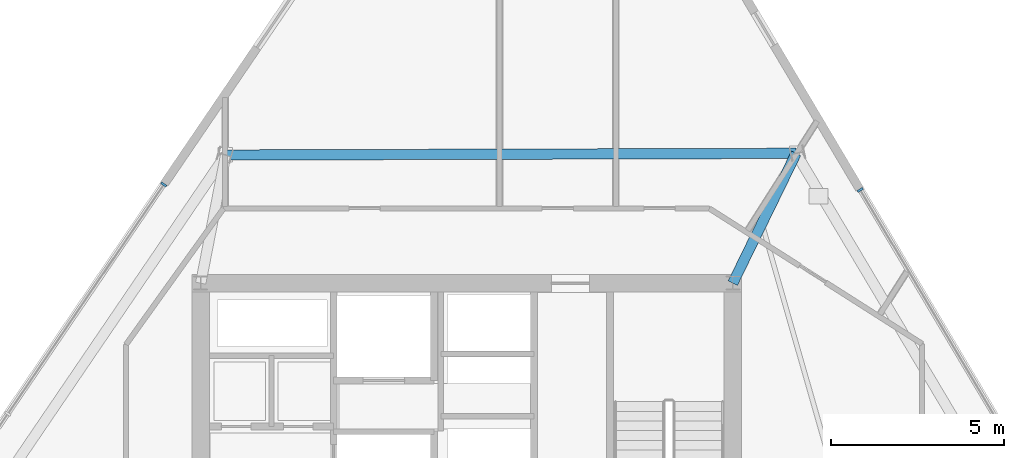
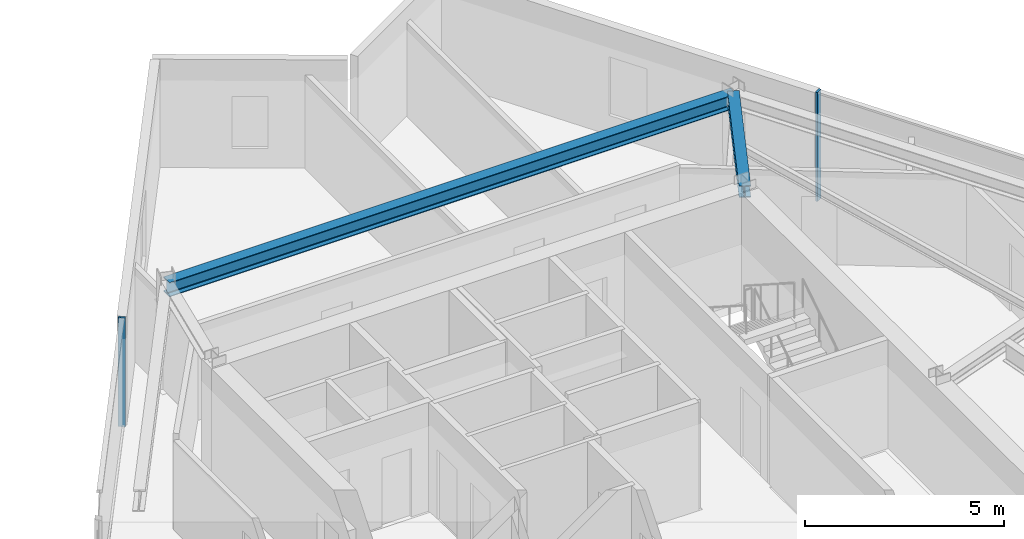
# One storey, part 6 of 15: 2 beams, 2 members, 2 elements without a shape of their own.
"""IFC4 building model written with IfcOpenShell, lengths in metres."""

from ifc_helpers import new_model, si_unit, direction, frame, origin, origin_2d, place, context, subcontext, project, spatial, rectangle, i_section, extrude, material, material_profile, profile_set, type_object, element, aggregate, save


model = new_model("IFC4")

# Units and contexts
model_context = context("Model", 3, precision=1e-05, world=origin(), true_north=direction((0.0, 1.0)))
body_context = subcontext(model_context, "Body", "Model", "MODEL_VIEW")
ifc_project = project(units=[si_unit("LENGTHUNIT", "METRE"), si_unit("AREAUNIT", "SQUARE_METRE"), si_unit("VOLUMEUNIT", "CUBIC_METRE"), si_unit("PLANEANGLEUNIT", "RADIAN"), si_unit("MASSUNIT", "GRAM", prefix="KILO")], contexts=[model_context])

# Site, building, storey
site_placement = place(None, origin())
site = spatial("IfcSite", under=ifc_project, at=site_placement, CompositionType="ELEMENT")
building_placement = place(site_placement, origin())
building = spatial("IfcBuilding", under=site, at=building_placement, Name="Savorim Split Tower", CompositionType="ELEMENT")
storey_placement = place(building_placement, frame((0.0, 0.0, 142.199951171875)))
storey = spatial("IfcBuildingStorey", under=building, at=storey_placement, Name="L37", CompositionType="ELEMENT", Elevation=142.199951171875)

# Beams
ifc_material_1 = material(Name="Steel S355", Category="steel")
ifc_material_profile_1 = material_profile(ifc_material_1, i_section(OverallWidth=0.300048828125, OverallDepth=0.360107421875, WebThickness=0.012451171875, FlangeThickness=0.0224609375, FilletRadius=0.027099609375, at=origin_2d()), Name="HEB 360")
ifc_profile_set_1 = profile_set([ifc_material_profile_1], Name="Steel S355")
beam_type_1 = type_object("IfcBeamType", Name="BM-PRI-HEB360", PredefinedType="BEAM", material=ifc_profile_set_1)
beam_1_placement = place(storey_placement, frame((9.53271484375, 13.957275390625, 3.170166015625), z_axis=(-0.438408674156, -0.898775742009, 0.0), x_axis=(0.898775742009, -0.438408674156, 0.0)))
element("IfcBeam", 1, at=beam_1_placement, inside=storey, type_object=beam_type_1, Name="L37 Primary Floor Girder RG-07", PredefinedType="BEAM", context=body_context, shape_type="SweptSolid", body=[
    extrude(i_section(OverallWidth=0.300048828125, OverallDepth=0.360107421875, WebThickness=0.012451171875, FlangeThickness=0.0224609375, FilletRadius=0.027099609375, at=origin_2d()), origin(), (0.0, 0.0, 1.0), 4.180419921875),
])
ifc_material_profile_2 = material_profile(ifc_material_1, i_section(OverallWidth=0.300048828125, OverallDepth=0.43994140625, WebThickness=0.011474609375, FlangeThickness=0.02099609375, FilletRadius=0.027099609375, at=origin_2d()), Name="HEA 450")
ifc_profile_set_2 = profile_set([ifc_material_profile_2], Name="Steel S355")
beam_type_2 = type_object("IfcBeamType", Name="BM-SPN-HEA450", PredefinedType="SPANDREL", material=ifc_profile_set_2)
beam_2_placement = place(storey_placement, frame((9.53271484375, 13.957275390625, 3.130126953125), z_axis=(-0.999995626925, -0.002957385739, 0.0), x_axis=(0.002957385739, -0.999995626925, 0.0)))
element("IfcBeam", 2, at=beam_2_placement, inside=storey, type_object=beam_type_2, Name="L37 Perimeter Spandrel Beam 7", PredefinedType="SPANDREL", context=body_context, shape_type="SweptSolid", body=[
    extrude(i_section(OverallWidth=0.300048828125, OverallDepth=0.43994140625, WebThickness=0.011474609375, FlangeThickness=0.02099609375, FilletRadius=0.027099609375, at=origin_2d()), origin(), (0.0, 0.0, 1.0), 16.510498046875),
])

# Curtain wall, member
ifc_material_2 = material(Name="Dark Ceramic-Fritted Insulated Glass", Category="glass")
curtain_wall_type = type_object("IfcCurtainWallType", Name="CW-TWR-FRIT-A", PredefinedType="NOTDEFINED", material=ifc_material_2)
curtain_wall_1_placement = place(storey_placement, origin())
curtain_wall_1 = element("IfcCurtainWall", 3, at=curtain_wall_1_placement, inside=storey, type_object=curtain_wall_type, Name="L37 Curtain Wall CW-L37-EAST", PredefinedType="NOTDEFINED")
ifc_material_3 = material(Name="Charcoal Anodised Aluminium", Category="aluminium")
ifc_material_profile_3 = material_profile(ifc_material_3, rectangle(XDim=0.179931640625, YDim=0.06494140625, at=origin_2d()), Name="ALU-M 180x65")
ifc_profile_set_3 = profile_set([ifc_material_profile_3], Name="Charcoal Anodised Aluminium")
member_type = type_object("IfcMemberType", Name="CWM-180x65", PredefinedType="MULLION", material=ifc_profile_set_3)
member_1_placement = place(storey_placement, frame((11.386962890625, 12.898193359375, 0.0), z_axis=(0.0, 0.0, 1.0), x_axis=(-0.859526328423, -0.511091470039, 0.0)))
member_1 = element("IfcMember", 4, at=member_1_placement, type_object=member_type, Name="CW-02 mullion 5", PredefinedType="MULLION", context=body_context, shape_type="SweptSolid", body=[
    extrude(rectangle(XDim=0.179931640625, YDim=0.06494140625, at=origin_2d()), origin(), (0.0, 0.0, 1.0), 3.35009765625),
])
aggregate(curtain_wall_1, [member_1])

curtain_wall_2_placement = place(storey_placement, origin())
curtain_wall_2 = element("IfcCurtainWall", 5, at=curtain_wall_2_placement, inside=storey, type_object=curtain_wall_type, Name="L37 Curtain Wall CW-L37-WEST", PredefinedType="NOTDEFINED")
member_2_placement = place(storey_placement, frame((-8.768798828125, 13.053955078125, 0.0), z_axis=(0.0, 0.0, 1.0), x_axis=(0.826820104662, -0.562466456356, 0.0)))
member_2 = element("IfcMember", 6, at=member_2_placement, type_object=member_type, Name="CW-02 mullion 1", PredefinedType="MULLION", context=body_context, shape_type="SweptSolid", body=[
    extrude(rectangle(XDim=0.179931640625, YDim=0.06494140625, at=origin_2d()), origin(), (0.0, 0.0, 1.0), 3.35009765625),
])
aggregate(curtain_wall_2, [member_2])

save(model, "model.ifc")
